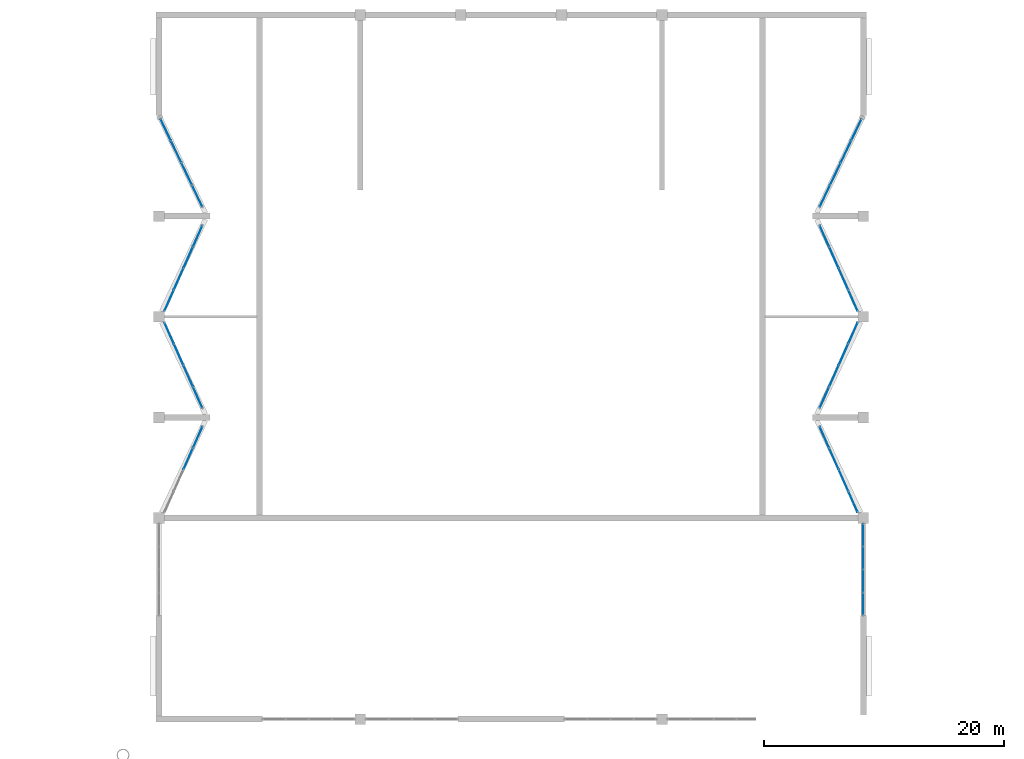
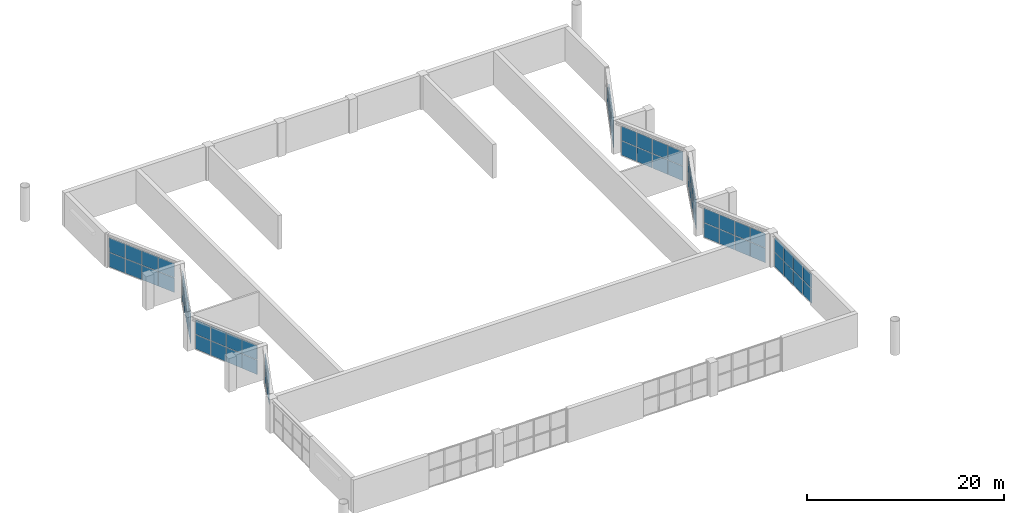
# One storey, part 30 of 51: 67 plates, 9 elements without a shape of their own.
"""IFC4 building model written with IfcOpenShell, lengths in metres."""

import ifcopenshell
import ifcopenshell.guid

model = None  # the IFC model being written
_history = None  # IfcOwnerHistory: only IFC2X3 demands one
_inside = {}  # id of a spatial element -> (the spatial element, [elements in it])
_under = {}  # id of a project, library or spatial element -> (it, [spatial elements below it])
_declared = {}  # id of a project -> (the project, [libraries it declares])
_typed = {}  # id of a type object -> (the type object, [elements of that type])
_made_of = {}  # id of a material, layer set ... -> (it, [elements and type objects made of it])


def new_model(schema):
    """Start an empty IFC model of exactly this schema.

    Asked for "IFC4X3", IfcOpenShell would pick the latest addendum, in which some entities
    have other attributes; the version numbers below select the first issue.
    IFC2X3 requires an IfcOwnerHistory on every rooted entity: one is made here for all.
    """
    global model, _history
    if schema == "IFC4X3":
        model = ifcopenshell.file(schema_version=(4, 3, 0, 0))
    else:
        model = ifcopenshell.file(schema=schema)
    _inside.clear()
    _under.clear()
    _declared.clear()
    _typed.clear()
    _made_of.clear()
    _history = None
    if model.schema == "IFC2X3":
        org = make("IfcOrganization", Name="unknown")
        user = make(
            "IfcPersonAndOrganization",
            ThePerson=make("IfcPerson", FamilyName="unknown"),
            TheOrganization=org,
        )
        app = make(
            "IfcApplication",
            ApplicationDeveloper=org,
            Version="unknown",
            ApplicationFullName="unknown",
            ApplicationIdentifier="unknown",
        )
        _history = make(
            "IfcOwnerHistory",
            OwningUser=user,
            OwningApplication=app,
            ChangeAction="ADDED",
            CreationDate=0,
        )
    return model


def make(cls, **values):
    """One entity of the class cls with the attributes given. An attribute that is None is left unset."""
    return model.create_entity(
        cls, **{name: value for name, value in values.items() if value is not None}
    )


def rooted(cls, **values):
    """An entity with a GlobalId (a new one), such as an element, a storey or a relation."""
    return make(cls, GlobalId=ifcopenshell.guid.new(), OwnerHistory=_history, **values)


def si_unit(unit_type, name, prefix=None):
    """IfcSIUnit, for example si_unit("LENGTHUNIT", "METRE", prefix="MILLI")."""
    return make("IfcSIUnit", UnitType=unit_type, Prefix=prefix, Name=name)


def assignment(units):
    """IfcUnitAssignment: the units of a project."""
    return None if units is None else make("IfcUnitAssignment", Units=units)


def point(xyz):
    """IfcCartesianPoint."""
    return None if xyz is None else make("IfcCartesianPoint", Coordinates=xyz)


def direction(xyz):
    """IfcDirection."""
    return None if xyz is None else make("IfcDirection", DirectionRatios=xyz)


def frame(location, z_axis=None, x_axis=None):
    """IfcAxis2Placement3D, a coordinate frame: its origin and axes. An axis left out is left unset."""
    return make(
        "IfcAxis2Placement3D",
        Location=point(location),
        Axis=direction(z_axis),
        RefDirection=direction(x_axis),
    )


def frame_2d(location, x_axis=None):
    """IfcAxis2Placement2D, a coordinate frame in the plane: its origin and x axis."""
    return make(
        "IfcAxis2Placement2D", Location=point(location), RefDirection=direction(x_axis)
    )


def origin():
    """The frame at (0, 0, 0) with its axes left unset."""
    return frame((0.0, 0.0, 0.0))


def origin_2d():
    """The frame at (0, 0) in the plane with its x axis left unset."""
    return frame_2d((0.0, 0.0))


def place(relative_to, where):
    """IfcLocalPlacement: puts the frame where relative to a parent placement (None: the world)."""
    return make(
        "IfcLocalPlacement", PlacementRelTo=relative_to, RelativePlacement=where
    )


def context(
    kind, dimensions, precision=None, world=None, true_north=None, identifier=None
):
    """IfcGeometricRepresentationContext, for example the 3D "Model" context."""
    return make(
        "IfcGeometricRepresentationContext",
        ContextIdentifier=identifier,
        ContextType=kind,
        CoordinateSpaceDimension=dimensions,
        Precision=precision,
        WorldCoordinateSystem=world,
        TrueNorth=true_north,
    )


def subcontext(parent, identifier, kind, view, scale=None):
    """IfcGeometricRepresentationSubContext, for example "Body" below "Model"."""
    return make(
        "IfcGeometricRepresentationSubContext",
        ContextIdentifier=identifier,
        ContextType=kind,
        ParentContext=parent,
        TargetScale=scale,
        TargetView=view,
    )


def project(units=None, contexts=None):
    """IfcProject with its units and contexts."""
    return rooted(
        "IfcProject",
        Name="project",
        RepresentationContexts=contexts,
        UnitsInContext=assignment(units),
    )


def spatial(cls, under=None, at=None, **own):
    """A site, building, storey or space (cls), placed at a placement, below another one or the project."""
    s = rooted(cls, ObjectPlacement=at, **own)
    if under is not None:
        _under.setdefault(under.id(), (under, []))[1].append(s)
    return s


def profile(cls, at=None, kind="AREA", **sizes):
    """A parametric profile (cls). Its sizes go by their IFC names, for example OverallWidth=200.0."""
    return make(cls, ProfileType=kind, Position=at, **sizes)


def rectangle(**sizes):
    """IfcRectangleProfileDef."""
    return profile("IfcRectangleProfileDef", **sizes)


def extrude(swept, where, along, depth):
    """IfcExtrudedAreaSolid: the profile swept, set in the frame where, extruded along a direction by depth."""
    return make(
        "IfcExtrudedAreaSolid",
        SweptArea=swept,
        Position=where,
        ExtrudedDirection=direction(along),
        Depth=depth,
    )


def shape(context_of_items, identifier, shape_type, items):
    """IfcShapeRepresentation: the items that make up one representation, for example the "Body"."""
    return make(
        "IfcShapeRepresentation",
        ContextOfItems=context_of_items,
        RepresentationIdentifier=identifier,
        RepresentationType=shape_type,
        Items=items,
    )


def material(Name=None, Category=None):
    """IfcMaterial."""
    return make("IfcMaterial", Name=Name, Category=Category)


def layer(
    of_material, thickness, ventilated=None, Name=None, Category=None, Priority=None
):
    """IfcMaterialLayer: one layer of a wall or slab, of a material (None: an air gap)."""
    return make(
        "IfcMaterialLayer",
        Material=of_material,
        LayerThickness=thickness,
        IsVentilated=ventilated,
        Name=Name,
        Category=Category,
        Priority=Priority,
    )


def layer_set(layers, Name=None):
    """IfcMaterialLayerSet."""
    return make("IfcMaterialLayerSet", MaterialLayers=layers, LayerSetName=Name)


def made_of(thing, what):
    """Note that an element or type object is made of a material, layer set ...; save() writes the relation."""
    if what is not None:
        _made_of.setdefault(what.id(), (what, []))[1].append(thing)
    return thing


def type_object(cls, material=None, **own):
    """A type object (cls), such as IfcWallType, which elements share."""
    return made_of(rooted(cls, **own), material)


def element(
    cls,
    number,
    at=None,
    inside=None,
    cuts=None,
    type_object=None,
    material=None,
    context=None,
    identifier="Body",
    shape_type=None,
    held_by="IfcProductDefinitionShape",
    body=None,
    shapes=None,
    **own,
):
    """One element of the class cls, such as IfcWall. Its Tag is "e" and its number.

    at: its placement. inside: the storey or other place that contains it. cuts: it is an
    opening in that element (IfcRelVoidsElement). A single representation is given by context,
    identifier, shape_type and body (its items); several are given by shapes. held_by: the class
    of the entity that holds the representations. save() writes the other relations.
    """
    e = rooted(cls, Tag="e%d" % number, ObjectPlacement=at, **own)
    if body is not None:
        shapes = [shape(context, identifier, shape_type, body)]
    if shapes is not None:
        e.Representation = make(held_by, Representations=shapes)
    if inside is not None:
        _inside.setdefault(inside.id(), (inside, []))[1].append(e)
    if cuts is not None:
        rooted(
            "IfcRelVoidsElement", RelatingBuildingElement=cuts, RelatedOpeningElement=e
        )
    if type_object is not None:
        _typed.setdefault(type_object.id(), (type_object, []))[1].append(e)
    return made_of(e, material)


def aggregate(whole, parts):
    """IfcRelAggregates: a whole, such as a stair, and the parts it consists of."""
    return rooted("IfcRelAggregates", RelatingObject=whole, RelatedObjects=parts)


def save(model, path):
    """Write the relations noted so far, then the file.

    IfcRelAggregates (storeys below a building ...), IfcRelContainedInSpatialStructure (elements
    in a storey), IfcRelDefinesByType, IfcRelAssociatesMaterial and IfcRelDeclares: one each for
    every whole, place, type object, material and project.
    """
    for whole, parts in _under.values():
        aggregate(whole, parts)
    for where, things in _inside.values():
        rooted(
            "IfcRelContainedInSpatialStructure",
            RelatedElements=things,
            RelatingStructure=where,
        )
    for kind, things in _typed.values():
        rooted("IfcRelDefinesByType", RelatedObjects=things, RelatingType=kind)
    for what, things in _made_of.values():
        rooted("IfcRelAssociatesMaterial", RelatedObjects=things, RelatingMaterial=what)
    for by, libraries in _declared.values():
        rooted("IfcRelDeclares", RelatingContext=by, RelatedDefinitions=libraries)
    model.write(path)


model = new_model("IFC4")

# Units and contexts
model_context = context("Model", 3, precision=1e-05, world=origin(), true_north=direction((0.0, 1.0)))
body_context = subcontext(model_context, "Body", "Model", "MODEL_VIEW")
ifc_project = project(units=[si_unit("LENGTHUNIT", "METRE"), si_unit("AREAUNIT", "SQUARE_METRE"), si_unit("VOLUMEUNIT", "CUBIC_METRE"), si_unit("PLANEANGLEUNIT", "RADIAN"), si_unit("MASSUNIT", "GRAM", prefix="KILO")], contexts=[model_context])

# Site, building, storey
site_placement = place(None, origin())
site = spatial("IfcSite", under=ifc_project, at=site_placement, CompositionType="ELEMENT")
building_placement = place(site_placement, origin())
building = spatial("IfcBuilding", under=site, at=building_placement, Name="Cresset Court Congress Hotel", CompositionType="ELEMENT")
storey_placement = place(building_placement, frame((0.0, 0.0, 18.60009765625)))
storey = spatial("IfcBuildingStorey", under=building, at=storey_placement, Name="L04", CompositionType="ELEMENT", Elevation=18.60009765625)

# Curtain wall, plates
ifc_material_1 = material(Name="Aluminium and glass", Category="aluminium")
ifc_layer_1 = layer(ifc_material_1, 0.199951171875)
ifc_layer_set_1 = layer_set([ifc_layer_1], Name="Clerestory curtain wall 1925 module")
curtain_wall_type = type_object("IfcCurtainWallType", Name="Clerestory curtain wall 1925 module", PredefinedType="NOTDEFINED", material=ifc_layer_set_1)
curtain_wall_1_placement = place(storey_placement, origin())
curtain_wall_1 = element("IfcCurtainWall", 1, at=curtain_wall_1_placement, inside=storey, type_object=curtain_wall_type, Name="Clerestory CX-04W1", PredefinedType="NOTDEFINED")
ifc_material_2 = material(Name="Laminated glass", Category="glass")
ifc_layer_2 = layer(ifc_material_2, 0.028076171875)
ifc_layer_set_2 = layer_set([ifc_layer_2], Name="Curtain wall glass panel 28")
plate_type = type_object("IfcPlateType", Name="Curtain wall glass panel 28", PredefinedType="CURTAIN_PANEL", material=ifc_layer_set_2)
plate_1_placement = place(storey_placement, frame((59.365966796875, 108.011474609375, 0.06005859375), z_axis=(0.0, 0.0, 1.0), x_axis=(0.429933528299, -0.90286054363, 0.0)))
plate_1 = element("IfcPlate", 2, at=plate_1_placement, type_object=plate_type, Name="C-X5 panel 1.1", PredefinedType="CURTAIN_PANEL", context=body_context, shape_type="SweptSolid", body=[
    extrude(rectangle(XDim=1.958984375, YDim=0.028076171875, at=origin_2d()), origin(), (0.0, 0.0, 1.0), 1.781005859375),
])
plate_2_placement = place(storey_placement, frame((59.365966796875, 108.011474609375, 1.90087890625), z_axis=(0.0, 0.0, 1.0), x_axis=(0.429933528299, -0.90286054363, 0.0)))
plate_2 = element("IfcPlate", 3, at=plate_2_placement, type_object=plate_type, Name="C-X5 panel 1.2", PredefinedType="CURTAIN_PANEL", context=body_context, shape_type="SweptSolid", body=[
    extrude(rectangle(XDim=1.958984375, YDim=0.028076171875, at=origin_2d()), origin(), (0.0, 0.0, 1.0), 1.781005859375),
])
plate_3_placement = place(storey_placement, frame((60.240478515625, 106.175048828125, 0.06005859375), z_axis=(0.0, 0.0, 1.0), x_axis=(0.429933528299, -0.90286054363, 0.0)))
plate_3 = element("IfcPlate", 4, at=plate_3_placement, type_object=plate_type, Name="C-X5 panel 2.1", PredefinedType="CURTAIN_PANEL", context=body_context, shape_type="SweptSolid", body=[
    extrude(rectangle(XDim=1.989013671875, YDim=0.028076171875, at=origin_2d()), origin(), (0.0, 0.0, 1.0), 1.781005859375),
])
plate_4_placement = place(storey_placement, frame((60.240478515625, 106.175048828125, 1.90087890625), z_axis=(0.0, 0.0, 1.0), x_axis=(0.429933528299, -0.90286054363, 0.0)))
plate_4 = element("IfcPlate", 5, at=plate_4_placement, type_object=plate_type, Name="C-X5 panel 2.2", PredefinedType="CURTAIN_PANEL", context=body_context, shape_type="SweptSolid", body=[
    extrude(rectangle(XDim=1.989013671875, YDim=0.028076171875, at=origin_2d()), origin(), (0.0, 0.0, 1.0), 1.781005859375),
])
plate_5_placement = place(storey_placement, frame((61.121337890625, 104.324951171875, 0.06005859375), z_axis=(0.0, 0.0, 1.0), x_axis=(0.429933528299, -0.90286054363, 0.0)))
plate_5 = element("IfcPlate", 6, at=plate_5_placement, type_object=plate_type, Name="C-X5 panel 3.1", PredefinedType="CURTAIN_PANEL", context=body_context, shape_type="SweptSolid", body=[
    extrude(rectangle(XDim=1.989013671875, YDim=0.028076171875, at=origin_2d()), origin(), (0.0, 0.0, 1.0), 1.781005859375),
])
plate_6_placement = place(storey_placement, frame((61.121337890625, 104.324951171875, 1.90087890625), z_axis=(0.0, 0.0, 1.0), x_axis=(0.429933528299, -0.90286054363, 0.0)))
plate_6 = element("IfcPlate", 7, at=plate_6_placement, type_object=plate_type, Name="C-X5 panel 3.2", PredefinedType="CURTAIN_PANEL", context=body_context, shape_type="SweptSolid", body=[
    extrude(rectangle(XDim=1.989013671875, YDim=0.028076171875, at=origin_2d()), origin(), (0.0, 0.0, 1.0), 1.781005859375),
])
plate_7_placement = place(storey_placement, frame((61.995849609375, 102.488525390625, 0.06005859375), z_axis=(0.0, 0.0, 1.0), x_axis=(0.429933528299, -0.90286054363, 0.0)))
plate_7 = element("IfcPlate", 8, at=plate_7_placement, type_object=plate_type, Name="C-X5 panel 4.1", PredefinedType="CURTAIN_PANEL", context=body_context, shape_type="SweptSolid", body=[
    extrude(rectangle(XDim=1.958984375, YDim=0.028076171875, at=origin_2d()), origin(), (0.0, 0.0, 1.0), 1.781005859375),
])
plate_8_placement = place(storey_placement, frame((61.995849609375, 102.488525390625, 1.90087890625), z_axis=(0.0, 0.0, 1.0), x_axis=(0.429933528299, -0.90286054363, 0.0)))
plate_8 = element("IfcPlate", 9, at=plate_8_placement, type_object=plate_type, Name="C-X5 panel 4.2", PredefinedType="CURTAIN_PANEL", context=body_context, shape_type="SweptSolid", body=[
    extrude(rectangle(XDim=1.958984375, YDim=0.028076171875, at=origin_2d()), origin(), (0.0, 0.0, 1.0), 1.781005859375),
])
aggregate(curtain_wall_1, [plate_1, plate_2, plate_3, plate_4, plate_5, plate_6, plate_7, plate_8])

curtain_wall_2_placement = place(storey_placement, origin())
curtain_wall_2 = element("IfcCurtainWall", 10, at=curtain_wall_2_placement, inside=storey, type_object=curtain_wall_type, Name="Clerestory CX-04W2", PredefinedType="NOTDEFINED")
plate_9_placement = place(storey_placement, frame((62.03759765625, 99.13623046875, 0.06005859375), z_axis=(0.0, 0.0, 1.0), x_axis=(-0.405381009298, -0.914147820268, 0.0)))
plate_9 = element("IfcPlate", 11, at=plate_9_placement, type_object=plate_type, Name="C-X5 panel 1.1", PredefinedType="CURTAIN_PANEL", context=body_context, shape_type="SweptSolid", body=[
    extrude(rectangle(XDim=1.879150390625, YDim=0.028076171875, at=origin_2d()), origin(), (0.0, 0.0, 1.0), 1.781005859375),
])
plate_10_placement = place(storey_placement, frame((62.03759765625, 99.13623046875, 1.90087890625), z_axis=(0.0, 0.0, 1.0), x_axis=(-0.405381009298, -0.914147820268, 0.0)))
plate_10 = element("IfcPlate", 12, at=plate_10_placement, type_object=plate_type, Name="C-X5 panel 1.2", PredefinedType="CURTAIN_PANEL", context=body_context, shape_type="SweptSolid", body=[
    extrude(rectangle(XDim=1.879150390625, YDim=0.028076171875, at=origin_2d()), origin(), (0.0, 0.0, 1.0), 1.781005859375),
])
plate_11_placement = place(storey_placement, frame((61.24560546875, 97.35009765625, 0.06005859375), z_axis=(0.0, 0.0, 1.0), x_axis=(-0.405381009298, -0.914147820268, 0.0)))
plate_11 = element("IfcPlate", 13, at=plate_11_placement, type_object=plate_type, Name="C-X5 panel 2.1", PredefinedType="CURTAIN_PANEL", context=body_context, shape_type="SweptSolid", body=[
    extrude(rectangle(XDim=1.908935546875, YDim=0.028076171875, at=origin_2d()), origin(), (0.0, 0.0, 1.0), 1.781005859375),
])
plate_12_placement = place(storey_placement, frame((61.24560546875, 97.35009765625, 1.90087890625), z_axis=(0.0, 0.0, 1.0), x_axis=(-0.405381009298, -0.914147820268, 0.0)))
plate_12 = element("IfcPlate", 14, at=plate_12_placement, type_object=plate_type, Name="C-X5 panel 2.2", PredefinedType="CURTAIN_PANEL", context=body_context, shape_type="SweptSolid", body=[
    extrude(rectangle(XDim=1.908935546875, YDim=0.028076171875, at=origin_2d()), origin(), (0.0, 0.0, 1.0), 1.781005859375),
])
plate_13_placement = place(storey_placement, frame((60.447265625, 95.550048828125, 0.06005859375), z_axis=(0.0, 0.0, 1.0), x_axis=(-0.405381009298, -0.914147820268, 0.0)))
plate_13 = element("IfcPlate", 15, at=plate_13_placement, type_object=plate_type, Name="C-X5 panel 3.1", PredefinedType="CURTAIN_PANEL", context=body_context, shape_type="SweptSolid", body=[
    extrude(rectangle(XDim=1.908935546875, YDim=0.028076171875, at=origin_2d()), origin(), (0.0, 0.0, 1.0), 1.781005859375),
])
plate_14_placement = place(storey_placement, frame((60.447265625, 95.550048828125, 1.90087890625), z_axis=(0.0, 0.0, 1.0), x_axis=(-0.405381009298, -0.914147820268, 0.0)))
plate_14 = element("IfcPlate", 16, at=plate_14_placement, type_object=plate_type, Name="C-X5 panel 3.2", PredefinedType="CURTAIN_PANEL", context=body_context, shape_type="SweptSolid", body=[
    extrude(rectangle(XDim=1.908935546875, YDim=0.028076171875, at=origin_2d()), origin(), (0.0, 0.0, 1.0), 1.781005859375),
])
plate_15_placement = place(storey_placement, frame((59.6552734375, 93.763671875, 0.06005859375), z_axis=(0.0, 0.0, 1.0), x_axis=(-0.405381009298, -0.914147820268, 0.0)))
plate_15 = element("IfcPlate", 17, at=plate_15_placement, type_object=plate_type, Name="C-X5 panel 4.1", PredefinedType="CURTAIN_PANEL", context=body_context, shape_type="SweptSolid", body=[
    extrude(rectangle(XDim=1.879150390625, YDim=0.028076171875, at=origin_2d()), origin(), (0.0, 0.0, 1.0), 1.781005859375),
])
plate_16_placement = place(storey_placement, frame((59.6552734375, 93.763671875, 1.90087890625), z_axis=(0.0, 0.0, 1.0), x_axis=(-0.405381009298, -0.914147820268, 0.0)))
plate_16 = element("IfcPlate", 18, at=plate_16_placement, type_object=plate_type, Name="C-X5 panel 4.2", PredefinedType="CURTAIN_PANEL", context=body_context, shape_type="SweptSolid", body=[
    extrude(rectangle(XDim=1.879150390625, YDim=0.028076171875, at=origin_2d()), origin(), (0.0, 0.0, 1.0), 1.781005859375),
])
aggregate(curtain_wall_2, [plate_9, plate_10, plate_11, plate_12, plate_13, plate_14, plate_15, plate_16])

curtain_wall_3_placement = place(storey_placement, origin())
curtain_wall_3 = element("IfcCurtainWall", 19, at=curtain_wall_3_placement, inside=storey, type_object=curtain_wall_type, Name="Clerestory CX-04W3", PredefinedType="NOTDEFINED")
plate_17_placement = place(storey_placement, frame((59.6552734375, 91.036376953125, 0.06005859375), z_axis=(0.0, 0.0, 1.0), x_axis=(0.405381009298, -0.914147820268, 0.0)))
plate_17 = element("IfcPlate", 20, at=plate_17_placement, type_object=plate_type, Name="C-X5 panel 1.1", PredefinedType="CURTAIN_PANEL", context=body_context, shape_type="SweptSolid", body=[
    extrude(rectangle(XDim=1.879150390625, YDim=0.028076171875, at=origin_2d()), origin(), (0.0, 0.0, 1.0), 1.781005859375),
])
plate_18_placement = place(storey_placement, frame((59.6552734375, 91.036376953125, 1.90087890625), z_axis=(0.0, 0.0, 1.0), x_axis=(0.405381009298, -0.914147820268, 0.0)))
plate_18 = element("IfcPlate", 21, at=plate_18_placement, type_object=plate_type, Name="C-X5 panel 1.2", PredefinedType="CURTAIN_PANEL", context=body_context, shape_type="SweptSolid", body=[
    extrude(rectangle(XDim=1.879150390625, YDim=0.028076171875, at=origin_2d()), origin(), (0.0, 0.0, 1.0), 1.781005859375),
])
plate_19_placement = place(storey_placement, frame((60.447265625, 89.25, 0.06005859375), z_axis=(0.0, 0.0, 1.0), x_axis=(0.405381009298, -0.914147820268, 0.0)))
plate_19 = element("IfcPlate", 22, at=plate_19_placement, type_object=plate_type, Name="C-X5 panel 2.1", PredefinedType="CURTAIN_PANEL", context=body_context, shape_type="SweptSolid", body=[
    extrude(rectangle(XDim=1.908935546875, YDim=0.028076171875, at=origin_2d()), origin(), (0.0, 0.0, 1.0), 1.781005859375),
])
plate_20_placement = place(storey_placement, frame((60.447265625, 89.25, 1.90087890625), z_axis=(0.0, 0.0, 1.0), x_axis=(0.405381009298, -0.914147820268, 0.0)))
plate_20 = element("IfcPlate", 23, at=plate_20_placement, type_object=plate_type, Name="C-X5 panel 2.2", PredefinedType="CURTAIN_PANEL", context=body_context, shape_type="SweptSolid", body=[
    extrude(rectangle(XDim=1.908935546875, YDim=0.028076171875, at=origin_2d()), origin(), (0.0, 0.0, 1.0), 1.781005859375),
])
plate_21_placement = place(storey_placement, frame((61.24560546875, 87.449951171875, 0.06005859375), z_axis=(0.0, 0.0, 1.0), x_axis=(0.405381009298, -0.914147820268, 0.0)))
plate_21 = element("IfcPlate", 24, at=plate_21_placement, type_object=plate_type, Name="C-X5 panel 3.1", PredefinedType="CURTAIN_PANEL", context=body_context, shape_type="SweptSolid", body=[
    extrude(rectangle(XDim=1.908935546875, YDim=0.028076171875, at=origin_2d()), origin(), (0.0, 0.0, 1.0), 1.781005859375),
])
plate_22_placement = place(storey_placement, frame((61.24560546875, 87.449951171875, 1.90087890625), z_axis=(0.0, 0.0, 1.0), x_axis=(0.405381009298, -0.914147820268, 0.0)))
plate_22 = element("IfcPlate", 25, at=plate_22_placement, type_object=plate_type, Name="C-X5 panel 3.2", PredefinedType="CURTAIN_PANEL", context=body_context, shape_type="SweptSolid", body=[
    extrude(rectangle(XDim=1.908935546875, YDim=0.028076171875, at=origin_2d()), origin(), (0.0, 0.0, 1.0), 1.781005859375),
])
plate_23_placement = place(storey_placement, frame((62.03759765625, 85.663818359375, 0.06005859375), z_axis=(0.0, 0.0, 1.0), x_axis=(0.405381009298, -0.914147820268, 0.0)))
plate_23 = element("IfcPlate", 26, at=plate_23_placement, type_object=plate_type, Name="C-X5 panel 4.1", PredefinedType="CURTAIN_PANEL", context=body_context, shape_type="SweptSolid", body=[
    extrude(rectangle(XDim=1.879150390625, YDim=0.028076171875, at=origin_2d()), origin(), (0.0, 0.0, 1.0), 1.781005859375),
])
plate_24_placement = place(storey_placement, frame((62.03759765625, 85.663818359375, 1.90087890625), z_axis=(0.0, 0.0, 1.0), x_axis=(0.405381009298, -0.914147820268, 0.0)))
plate_24 = element("IfcPlate", 27, at=plate_24_placement, type_object=plate_type, Name="C-X5 panel 4.2", PredefinedType="CURTAIN_PANEL", context=body_context, shape_type="SweptSolid", body=[
    extrude(rectangle(XDim=1.879150390625, YDim=0.028076171875, at=origin_2d()), origin(), (0.0, 0.0, 1.0), 1.781005859375),
])
aggregate(curtain_wall_3, [plate_17, plate_18, plate_19, plate_20, plate_21, plate_22, plate_23, plate_24])

curtain_wall_4_placement = place(storey_placement, origin())
curtain_wall_4 = element("IfcCurtainWall", 28, at=curtain_wall_4_placement, inside=storey, type_object=curtain_wall_type, Name="Clerestory CX-04W4", PredefinedType="NOTDEFINED")
plate_25_placement = place(storey_placement, frame((62.03759765625, 82.336181640625, 0.06005859375), z_axis=(0.0, 0.0, 1.0), x_axis=(-0.405381009298, -0.914147820268, 0.0)))
plate_25 = element("IfcPlate", 29, at=plate_25_placement, type_object=plate_type, Name="C-X5 panel 1.1", PredefinedType="CURTAIN_PANEL", context=body_context, shape_type="SweptSolid", body=[
    extrude(rectangle(XDim=1.879150390625, YDim=0.028076171875, at=origin_2d()), origin(), (0.0, 0.0, 1.0), 1.781005859375),
])
plate_26_placement = place(storey_placement, frame((62.03759765625, 82.336181640625, 1.90087890625), z_axis=(0.0, 0.0, 1.0), x_axis=(-0.405381009298, -0.914147820268, 0.0)))
plate_26 = element("IfcPlate", 30, at=plate_26_placement, type_object=plate_type, Name="C-X5 panel 1.2", PredefinedType="CURTAIN_PANEL", context=body_context, shape_type="SweptSolid", body=[
    extrude(rectangle(XDim=1.879150390625, YDim=0.028076171875, at=origin_2d()), origin(), (0.0, 0.0, 1.0), 1.781005859375),
])
plate_27_placement = place(storey_placement, frame((61.24560546875, 80.550048828125, 0.06005859375), z_axis=(0.0, 0.0, 1.0), x_axis=(-0.405381009298, -0.914147820268, 0.0)))
plate_27 = element("IfcPlate", 31, at=plate_27_placement, type_object=plate_type, Name="C-X5 panel 2.1", PredefinedType="CURTAIN_PANEL", context=body_context, shape_type="SweptSolid", body=[
    extrude(rectangle(XDim=1.908935546875, YDim=0.028076171875, at=origin_2d()), origin(), (0.0, 0.0, 1.0), 1.781005859375),
])
plate_28_placement = place(storey_placement, frame((61.24560546875, 80.550048828125, 1.90087890625), z_axis=(0.0, 0.0, 1.0), x_axis=(-0.405381009298, -0.914147820268, 0.0)))
plate_28 = element("IfcPlate", 32, at=plate_28_placement, type_object=plate_type, Name="C-X5 panel 2.2", PredefinedType="CURTAIN_PANEL", context=body_context, shape_type="SweptSolid", body=[
    extrude(rectangle(XDim=1.908935546875, YDim=0.028076171875, at=origin_2d()), origin(), (0.0, 0.0, 1.0), 1.781005859375),
])
aggregate(curtain_wall_4, [plate_25, plate_26, plate_27, plate_28])

curtain_wall_5_placement = place(storey_placement, origin())
curtain_wall_5 = element("IfcCurtainWall", 33, at=curtain_wall_5_placement, inside=storey, type_object=curtain_wall_type, Name="Clerestory CX-04E1", PredefinedType="NOTDEFINED")
plate_29_placement = place(storey_placement, frame((117.60009765625, 68.427490234375, 0.06005859375), z_axis=(0.0, 0.0, 1.0), x_axis=(0.0, 1.0, 0.0)))
plate_29 = element("IfcPlate", 34, at=plate_29_placement, type_object=plate_type, Name="C-X5 panel 1.1", PredefinedType="CURTAIN_PANEL", context=body_context, shape_type="SweptSolid", body=[
    extrude(rectangle(XDim=1.8349609375, YDim=0.028076171875, at=origin_2d()), origin(), (0.0, 0.0, 1.0), 1.781005859375),
])
plate_30_placement = place(storey_placement, frame((117.60009765625, 68.427490234375, 1.90087890625), z_axis=(0.0, 0.0, 1.0), x_axis=(0.0, 1.0, 0.0)))
plate_30 = element("IfcPlate", 35, at=plate_30_placement, type_object=plate_type, Name="C-X5 panel 1.2", PredefinedType="CURTAIN_PANEL", context=body_context, shape_type="SweptSolid", body=[
    extrude(rectangle(XDim=1.8349609375, YDim=0.028076171875, at=origin_2d()), origin(), (0.0, 0.0, 1.0), 1.781005859375),
])
plate_31_placement = place(storey_placement, frame((117.60009765625, 70.33740234375, 0.06005859375), z_axis=(0.0, 0.0, 1.0), x_axis=(0.0, 1.0, 0.0)))
plate_31 = element("IfcPlate", 36, at=plate_31_placement, type_object=plate_type, Name="C-X5 panel 2.1", PredefinedType="CURTAIN_PANEL", context=body_context, shape_type="SweptSolid", body=[
    extrude(rectangle(XDim=1.864990234375, YDim=0.028076171875, at=origin_2d()), origin(), (0.0, 0.0, 1.0), 1.781005859375),
])
plate_32_placement = place(storey_placement, frame((117.60009765625, 70.33740234375, 1.90087890625), z_axis=(0.0, 0.0, 1.0), x_axis=(0.0, 1.0, 0.0)))
plate_32 = element("IfcPlate", 37, at=plate_32_placement, type_object=plate_type, Name="C-X5 panel 2.2", PredefinedType="CURTAIN_PANEL", context=body_context, shape_type="SweptSolid", body=[
    extrude(rectangle(XDim=1.864990234375, YDim=0.028076171875, at=origin_2d()), origin(), (0.0, 0.0, 1.0), 1.781005859375),
])
plate_33_placement = place(storey_placement, frame((117.60009765625, 72.262451171875, 0.06005859375), z_axis=(0.0, 0.0, 1.0), x_axis=(0.0, 1.0, 0.0)))
plate_33 = element("IfcPlate", 38, at=plate_33_placement, type_object=plate_type, Name="C-X5 panel 3.1", PredefinedType="CURTAIN_PANEL", context=body_context, shape_type="SweptSolid", body=[
    extrude(rectangle(XDim=1.864990234375, YDim=0.028076171875, at=origin_2d()), origin(), (0.0, 0.0, 1.0), 1.781005859375),
])
plate_34_placement = place(storey_placement, frame((117.60009765625, 72.262451171875, 1.90087890625), z_axis=(0.0, 0.0, 1.0), x_axis=(0.0, 1.0, 0.0)))
plate_34 = element("IfcPlate", 39, at=plate_34_placement, type_object=plate_type, Name="C-X5 panel 3.2", PredefinedType="CURTAIN_PANEL", context=body_context, shape_type="SweptSolid", body=[
    extrude(rectangle(XDim=1.864990234375, YDim=0.028076171875, at=origin_2d()), origin(), (0.0, 0.0, 1.0), 1.781005859375),
])
plate_35_placement = place(storey_placement, frame((117.60009765625, 74.172607421875, 0.06005859375), z_axis=(0.0, 0.0, 1.0), x_axis=(0.0, 1.0, 0.0)))
plate_35 = element("IfcPlate", 40, at=plate_35_placement, type_object=plate_type, Name="C-X5 panel 4.1", PredefinedType="CURTAIN_PANEL", context=body_context, shape_type="SweptSolid", body=[
    extrude(rectangle(XDim=1.8349609375, YDim=0.028076171875, at=origin_2d()), origin(), (0.0, 0.0, 1.0), 1.781005859375),
])
plate_36_placement = place(storey_placement, frame((117.60009765625, 74.172607421875, 1.90087890625), z_axis=(0.0, 0.0, 1.0), x_axis=(0.0, 1.0, 0.0)))
plate_36 = element("IfcPlate", 41, at=plate_36_placement, type_object=plate_type, Name="C-X5 panel 4.2", PredefinedType="CURTAIN_PANEL", context=body_context, shape_type="SweptSolid", body=[
    extrude(rectangle(XDim=1.8349609375, YDim=0.028076171875, at=origin_2d()), origin(), (0.0, 0.0, 1.0), 1.781005859375),
])
aggregate(curtain_wall_5, [plate_29, plate_30, plate_31, plate_32, plate_33, plate_34, plate_35, plate_36])

curtain_wall_6_placement = place(storey_placement, origin())
curtain_wall_6 = element("IfcCurtainWall", 42, at=curtain_wall_6_placement, inside=storey, type_object=curtain_wall_type, Name="Clerestory CX-04E2", PredefinedType="NOTDEFINED")
plate_37_placement = place(storey_placement, frame((116.744873046875, 76.963623046875, 0.06005859375), z_axis=(0.0, 0.0, 1.0), x_axis=(-0.405381009298, 0.914147820268, 0.0)))
plate_37 = element("IfcPlate", 43, at=plate_37_placement, type_object=plate_type, Name="C-X5 panel 1.1", PredefinedType="CURTAIN_PANEL", context=body_context, shape_type="SweptSolid", body=[
    extrude(rectangle(XDim=1.879150390625, YDim=0.028076171875, at=origin_2d()), origin(), (0.0, 0.0, 1.0), 1.781005859375),
])
plate_38_placement = place(storey_placement, frame((116.744873046875, 76.963623046875, 1.90087890625), z_axis=(0.0, 0.0, 1.0), x_axis=(-0.405381009298, 0.914147820268, 0.0)))
plate_38 = element("IfcPlate", 44, at=plate_38_placement, type_object=plate_type, Name="C-X5 panel 1.2", PredefinedType="CURTAIN_PANEL", context=body_context, shape_type="SweptSolid", body=[
    extrude(rectangle(XDim=1.879150390625, YDim=0.028076171875, at=origin_2d()), origin(), (0.0, 0.0, 1.0), 1.781005859375),
])
plate_39_placement = place(storey_placement, frame((115.95263671875, 78.75, 0.06005859375), z_axis=(0.0, 0.0, 1.0), x_axis=(-0.405381009298, 0.914147820268, 0.0)))
plate_39 = element("IfcPlate", 45, at=plate_39_placement, type_object=plate_type, Name="C-X5 panel 2.1", PredefinedType="CURTAIN_PANEL", context=body_context, shape_type="SweptSolid", body=[
    extrude(rectangle(XDim=1.908935546875, YDim=0.028076171875, at=origin_2d()), origin(), (0.0, 0.0, 1.0), 1.781005859375),
])
plate_40_placement = place(storey_placement, frame((115.95263671875, 78.75, 1.90087890625), z_axis=(0.0, 0.0, 1.0), x_axis=(-0.405381009298, 0.914147820268, 0.0)))
plate_40 = element("IfcPlate", 46, at=plate_40_placement, type_object=plate_type, Name="C-X5 panel 2.2", PredefinedType="CURTAIN_PANEL", context=body_context, shape_type="SweptSolid", body=[
    extrude(rectangle(XDim=1.908935546875, YDim=0.028076171875, at=origin_2d()), origin(), (0.0, 0.0, 1.0), 1.781005859375),
])
plate_41_placement = place(storey_placement, frame((115.154541015625, 80.550048828125, 0.06005859375), z_axis=(0.0, 0.0, 1.0), x_axis=(-0.405381009298, 0.914147820268, 0.0)))
plate_41 = element("IfcPlate", 47, at=plate_41_placement, type_object=plate_type, Name="C-X5 panel 3.1", PredefinedType="CURTAIN_PANEL", context=body_context, shape_type="SweptSolid", body=[
    extrude(rectangle(XDim=1.908935546875, YDim=0.028076171875, at=origin_2d()), origin(), (0.0, 0.0, 1.0), 1.781005859375),
])
plate_42_placement = place(storey_placement, frame((115.154541015625, 80.550048828125, 1.90087890625), z_axis=(0.0, 0.0, 1.0), x_axis=(-0.405381009298, 0.914147820268, 0.0)))
plate_42 = element("IfcPlate", 48, at=plate_42_placement, type_object=plate_type, Name="C-X5 panel 3.2", PredefinedType="CURTAIN_PANEL", context=body_context, shape_type="SweptSolid", body=[
    extrude(rectangle(XDim=1.908935546875, YDim=0.028076171875, at=origin_2d()), origin(), (0.0, 0.0, 1.0), 1.781005859375),
])
plate_43_placement = place(storey_placement, frame((114.3623046875, 82.336181640625, 0.06005859375), z_axis=(0.0, 0.0, 1.0), x_axis=(-0.405381009298, 0.914147820268, 0.0)))
plate_43 = element("IfcPlate", 49, at=plate_43_placement, type_object=plate_type, Name="C-X5 panel 4.1", PredefinedType="CURTAIN_PANEL", context=body_context, shape_type="SweptSolid", body=[
    extrude(rectangle(XDim=1.879150390625, YDim=0.028076171875, at=origin_2d()), origin(), (0.0, 0.0, 1.0), 1.781005859375),
])
plate_44_placement = place(storey_placement, frame((114.3623046875, 82.336181640625, 1.90087890625), z_axis=(0.0, 0.0, 1.0), x_axis=(-0.405381009298, 0.914147820268, 0.0)))
plate_44 = element("IfcPlate", 50, at=plate_44_placement, type_object=plate_type, Name="C-X5 panel 4.2", PredefinedType="CURTAIN_PANEL", context=body_context, shape_type="SweptSolid", body=[
    extrude(rectangle(XDim=1.879150390625, YDim=0.028076171875, at=origin_2d()), origin(), (0.0, 0.0, 1.0), 1.781005859375),
])
aggregate(curtain_wall_6, [plate_37, plate_38, plate_39, plate_40, plate_41, plate_42, plate_43, plate_44])

curtain_wall_7_placement = place(storey_placement, origin())
curtain_wall_7 = element("IfcCurtainWall", 51, at=curtain_wall_7_placement, inside=storey, type_object=curtain_wall_type, Name="Clerestory CX-04E3", PredefinedType="NOTDEFINED")
plate_45_placement = place(storey_placement, frame((114.3623046875, 85.663818359375, 0.06005859375), z_axis=(0.0, 0.0, 1.0), x_axis=(0.405381009298, 0.914147820268, 0.0)))
plate_45 = element("IfcPlate", 52, at=plate_45_placement, type_object=plate_type, Name="C-X5 panel 1.1", PredefinedType="CURTAIN_PANEL", context=body_context, shape_type="SweptSolid", body=[
    extrude(rectangle(XDim=1.879150390625, YDim=0.028076171875, at=origin_2d()), origin(), (0.0, 0.0, 1.0), 1.781005859375),
])
plate_46_placement = place(storey_placement, frame((114.3623046875, 85.663818359375, 1.90087890625), z_axis=(0.0, 0.0, 1.0), x_axis=(0.405381009298, 0.914147820268, 0.0)))
plate_46 = element("IfcPlate", 53, at=plate_46_placement, type_object=plate_type, Name="C-X5 panel 1.2", PredefinedType="CURTAIN_PANEL", context=body_context, shape_type="SweptSolid", body=[
    extrude(rectangle(XDim=1.879150390625, YDim=0.028076171875, at=origin_2d()), origin(), (0.0, 0.0, 1.0), 1.781005859375),
])
plate_47_placement = place(storey_placement, frame((115.154541015625, 87.449951171875, 0.06005859375), z_axis=(0.0, 0.0, 1.0), x_axis=(0.405381009298, 0.914147820268, 0.0)))
plate_47 = element("IfcPlate", 54, at=plate_47_placement, type_object=plate_type, Name="C-X5 panel 2.1", PredefinedType="CURTAIN_PANEL", context=body_context, shape_type="SweptSolid", body=[
    extrude(rectangle(XDim=1.908935546875, YDim=0.028076171875, at=origin_2d()), origin(), (0.0, 0.0, 1.0), 1.781005859375),
])
plate_48_placement = place(storey_placement, frame((115.154541015625, 87.449951171875, 1.90087890625), z_axis=(0.0, 0.0, 1.0), x_axis=(0.405381009298, 0.914147820268, 0.0)))
plate_48 = element("IfcPlate", 55, at=plate_48_placement, type_object=plate_type, Name="C-X5 panel 2.2", PredefinedType="CURTAIN_PANEL", context=body_context, shape_type="SweptSolid", body=[
    extrude(rectangle(XDim=1.908935546875, YDim=0.028076171875, at=origin_2d()), origin(), (0.0, 0.0, 1.0), 1.781005859375),
])
plate_49_placement = place(storey_placement, frame((115.95263671875, 89.25, 0.06005859375), z_axis=(0.0, 0.0, 1.0), x_axis=(0.405381009298, 0.914147820268, 0.0)))
plate_49 = element("IfcPlate", 56, at=plate_49_placement, type_object=plate_type, Name="C-X5 panel 3.1", PredefinedType="CURTAIN_PANEL", context=body_context, shape_type="SweptSolid", body=[
    extrude(rectangle(XDim=1.908935546875, YDim=0.028076171875, at=origin_2d()), origin(), (0.0, 0.0, 1.0), 1.781005859375),
])
plate_50_placement = place(storey_placement, frame((115.95263671875, 89.25, 1.90087890625), z_axis=(0.0, 0.0, 1.0), x_axis=(0.405381009298, 0.914147820268, 0.0)))
plate_50 = element("IfcPlate", 57, at=plate_50_placement, type_object=plate_type, Name="C-X5 panel 3.2", PredefinedType="CURTAIN_PANEL", context=body_context, shape_type="SweptSolid", body=[
    extrude(rectangle(XDim=1.908935546875, YDim=0.028076171875, at=origin_2d()), origin(), (0.0, 0.0, 1.0), 1.781005859375),
])
plate_51_placement = place(storey_placement, frame((116.744873046875, 91.036376953125, 0.06005859375), z_axis=(0.0, 0.0, 1.0), x_axis=(0.405381009298, 0.914147820268, 0.0)))
plate_51 = element("IfcPlate", 58, at=plate_51_placement, type_object=plate_type, Name="C-X5 panel 4.1", PredefinedType="CURTAIN_PANEL", context=body_context, shape_type="SweptSolid", body=[
    extrude(rectangle(XDim=1.879150390625, YDim=0.028076171875, at=origin_2d()), origin(), (0.0, 0.0, 1.0), 1.781005859375),
])
plate_52_placement = place(storey_placement, frame((116.744873046875, 91.036376953125, 1.90087890625), z_axis=(0.0, 0.0, 1.0), x_axis=(0.405381009298, 0.914147820268, 0.0)))
plate_52 = element("IfcPlate", 59, at=plate_52_placement, type_object=plate_type, Name="C-X5 panel 4.2", PredefinedType="CURTAIN_PANEL", context=body_context, shape_type="SweptSolid", body=[
    extrude(rectangle(XDim=1.879150390625, YDim=0.028076171875, at=origin_2d()), origin(), (0.0, 0.0, 1.0), 1.781005859375),
])
aggregate(curtain_wall_7, [plate_45, plate_46, plate_47, plate_48, plate_49, plate_50, plate_51, plate_52])

curtain_wall_8_placement = place(storey_placement, origin())
curtain_wall_8 = element("IfcCurtainWall", 60, at=curtain_wall_8_placement, inside=storey, type_object=curtain_wall_type, Name="Clerestory CX-04E4", PredefinedType="NOTDEFINED")
plate_53_placement = place(storey_placement, frame((116.744873046875, 93.763671875, 0.06005859375), z_axis=(0.0, 0.0, 1.0), x_axis=(-0.405381009298, 0.914147820268, 0.0)))
plate_53 = element("IfcPlate", 61, at=plate_53_placement, type_object=plate_type, Name="C-X5 panel 1.1", PredefinedType="CURTAIN_PANEL", context=body_context, shape_type="SweptSolid", body=[
    extrude(rectangle(XDim=1.879150390625, YDim=0.028076171875, at=origin_2d()), origin(), (0.0, 0.0, 1.0), 1.781005859375),
])
plate_54_placement = place(storey_placement, frame((116.744873046875, 93.763671875, 1.90087890625), z_axis=(0.0, 0.0, 1.0), x_axis=(-0.405381009298, 0.914147820268, 0.0)))
plate_54 = element("IfcPlate", 62, at=plate_54_placement, type_object=plate_type, Name="C-X5 panel 1.2", PredefinedType="CURTAIN_PANEL", context=body_context, shape_type="SweptSolid", body=[
    extrude(rectangle(XDim=1.879150390625, YDim=0.028076171875, at=origin_2d()), origin(), (0.0, 0.0, 1.0), 1.781005859375),
])
plate_55_placement = place(storey_placement, frame((115.95263671875, 95.550048828125, 0.06005859375), z_axis=(0.0, 0.0, 1.0), x_axis=(-0.405381009298, 0.914147820268, 0.0)))
plate_55 = element("IfcPlate", 63, at=plate_55_placement, type_object=plate_type, Name="C-X5 panel 2.1", PredefinedType="CURTAIN_PANEL", context=body_context, shape_type="SweptSolid", body=[
    extrude(rectangle(XDim=1.908935546875, YDim=0.028076171875, at=origin_2d()), origin(), (0.0, 0.0, 1.0), 1.781005859375),
])
plate_56_placement = place(storey_placement, frame((115.95263671875, 95.550048828125, 1.90087890625), z_axis=(0.0, 0.0, 1.0), x_axis=(-0.405381009298, 0.914147820268, 0.0)))
plate_56 = element("IfcPlate", 64, at=plate_56_placement, type_object=plate_type, Name="C-X5 panel 2.2", PredefinedType="CURTAIN_PANEL", context=body_context, shape_type="SweptSolid", body=[
    extrude(rectangle(XDim=1.908935546875, YDim=0.028076171875, at=origin_2d()), origin(), (0.0, 0.0, 1.0), 1.781005859375),
])
plate_57_placement = place(storey_placement, frame((115.154541015625, 97.35009765625, 0.06005859375), z_axis=(0.0, 0.0, 1.0), x_axis=(-0.405381009298, 0.914147820268, 0.0)))
plate_57 = element("IfcPlate", 65, at=plate_57_placement, type_object=plate_type, Name="C-X5 panel 3.1", PredefinedType="CURTAIN_PANEL", context=body_context, shape_type="SweptSolid", body=[
    extrude(rectangle(XDim=1.908935546875, YDim=0.028076171875, at=origin_2d()), origin(), (0.0, 0.0, 1.0), 1.781005859375),
])
plate_58_placement = place(storey_placement, frame((115.154541015625, 97.35009765625, 1.90087890625), z_axis=(0.0, 0.0, 1.0), x_axis=(-0.405381009298, 0.914147820268, 0.0)))
plate_58 = element("IfcPlate", 66, at=plate_58_placement, type_object=plate_type, Name="C-X5 panel 3.2", PredefinedType="CURTAIN_PANEL", context=body_context, shape_type="SweptSolid", body=[
    extrude(rectangle(XDim=1.908935546875, YDim=0.028076171875, at=origin_2d()), origin(), (0.0, 0.0, 1.0), 1.781005859375),
])
plate_59_placement = place(storey_placement, frame((114.3623046875, 99.13623046875, 0.06005859375), z_axis=(0.0, 0.0, 1.0), x_axis=(-0.405381009298, 0.914147820268, 0.0)))
plate_59 = element("IfcPlate", 67, at=plate_59_placement, type_object=plate_type, Name="C-X5 panel 4.1", PredefinedType="CURTAIN_PANEL", context=body_context, shape_type="SweptSolid", body=[
    extrude(rectangle(XDim=1.879150390625, YDim=0.028076171875, at=origin_2d()), origin(), (0.0, 0.0, 1.0), 1.781005859375),
])
plate_60_placement = place(storey_placement, frame((114.3623046875, 99.13623046875, 1.90087890625), z_axis=(0.0, 0.0, 1.0), x_axis=(-0.405381009298, 0.914147820268, 0.0)))
plate_60 = element("IfcPlate", 68, at=plate_60_placement, type_object=plate_type, Name="C-X5 panel 4.2", PredefinedType="CURTAIN_PANEL", context=body_context, shape_type="SweptSolid", body=[
    extrude(rectangle(XDim=1.879150390625, YDim=0.028076171875, at=origin_2d()), origin(), (0.0, 0.0, 1.0), 1.781005859375),
])
aggregate(curtain_wall_8, [plate_53, plate_54, plate_55, plate_56, plate_57, plate_58, plate_59, plate_60])

curtain_wall_9_placement = place(storey_placement, origin())
curtain_wall_9 = element("IfcCurtainWall", 69, at=curtain_wall_9_placement, inside=storey, type_object=curtain_wall_type, Name="Clerestory CX-04E5", PredefinedType="NOTDEFINED")
plate_61_placement = place(storey_placement, frame((114.404052734375, 102.488525390625, 0.06005859375), z_axis=(0.0, 0.0, 1.0), x_axis=(0.429933528299, 0.90286054363, 0.0)))
plate_61 = element("IfcPlate", 70, at=plate_61_placement, type_object=plate_type, Name="C-X5 panel 1.1", PredefinedType="CURTAIN_PANEL", context=body_context, shape_type="SweptSolid", body=[
    extrude(rectangle(XDim=1.958984375, YDim=0.028076171875, at=origin_2d()), origin(), (0.0, 0.0, 1.0), 1.781005859375),
])
plate_62_placement = place(storey_placement, frame((114.404052734375, 102.488525390625, 1.90087890625), z_axis=(0.0, 0.0, 1.0), x_axis=(0.429933528299, 0.90286054363, 0.0)))
plate_62 = element("IfcPlate", 71, at=plate_62_placement, type_object=plate_type, Name="C-X5 panel 1.2", PredefinedType="CURTAIN_PANEL", context=body_context, shape_type="SweptSolid", body=[
    extrude(rectangle(XDim=1.958984375, YDim=0.028076171875, at=origin_2d()), origin(), (0.0, 0.0, 1.0), 1.781005859375),
])
plate_63_placement = place(storey_placement, frame((115.278564453125, 104.324951171875, 0.06005859375), z_axis=(0.0, 0.0, 1.0), x_axis=(0.429933528299, 0.90286054363, 0.0)))
plate_63 = element("IfcPlate", 72, at=plate_63_placement, type_object=plate_type, Name="C-X5 panel 2.1", PredefinedType="CURTAIN_PANEL", context=body_context, shape_type="SweptSolid", body=[
    extrude(rectangle(XDim=1.989013671875, YDim=0.028076171875, at=origin_2d()), origin(), (0.0, 0.0, 1.0), 1.781005859375),
])
plate_64_placement = place(storey_placement, frame((115.278564453125, 104.324951171875, 1.90087890625), z_axis=(0.0, 0.0, 1.0), x_axis=(0.429933528299, 0.90286054363, 0.0)))
plate_64 = element("IfcPlate", 73, at=plate_64_placement, type_object=plate_type, Name="C-X5 panel 2.2", PredefinedType="CURTAIN_PANEL", context=body_context, shape_type="SweptSolid", body=[
    extrude(rectangle(XDim=1.989013671875, YDim=0.028076171875, at=origin_2d()), origin(), (0.0, 0.0, 1.0), 1.781005859375),
])
plate_65_placement = place(storey_placement, frame((116.159423828125, 106.175048828125, 0.06005859375), z_axis=(0.0, 0.0, 1.0), x_axis=(0.429933528299, 0.90286054363, 0.0)))
plate_65 = element("IfcPlate", 74, at=plate_65_placement, type_object=plate_type, Name="C-X5 panel 3.1", PredefinedType="CURTAIN_PANEL", context=body_context, shape_type="SweptSolid", body=[
    extrude(rectangle(XDim=1.989013671875, YDim=0.028076171875, at=origin_2d()), origin(), (0.0, 0.0, 1.0), 1.781005859375),
])
plate_66_placement = place(storey_placement, frame((116.159423828125, 106.175048828125, 1.90087890625), z_axis=(0.0, 0.0, 1.0), x_axis=(0.429933528299, 0.90286054363, 0.0)))
plate_66 = element("IfcPlate", 75, at=plate_66_placement, type_object=plate_type, Name="C-X5 panel 3.2", PredefinedType="CURTAIN_PANEL", context=body_context, shape_type="SweptSolid", body=[
    extrude(rectangle(XDim=1.989013671875, YDim=0.028076171875, at=origin_2d()), origin(), (0.0, 0.0, 1.0), 1.781005859375),
])
plate_67_placement = place(storey_placement, frame((117.033935546875, 108.011474609375, 0.06005859375), z_axis=(0.0, 0.0, 1.0), x_axis=(0.429933528299, 0.90286054363, 0.0)))
plate_67 = element("IfcPlate", 76, at=plate_67_placement, type_object=plate_type, Name="C-X5 panel 4.1", PredefinedType="CURTAIN_PANEL", context=body_context, shape_type="SweptSolid", body=[
    extrude(rectangle(XDim=1.958984375, YDim=0.028076171875, at=origin_2d()), origin(), (0.0, 0.0, 1.0), 1.781005859375),
])
aggregate(curtain_wall_9, [plate_61, plate_62, plate_63, plate_64, plate_65, plate_66, plate_67])

save(model, "model.ifc")
